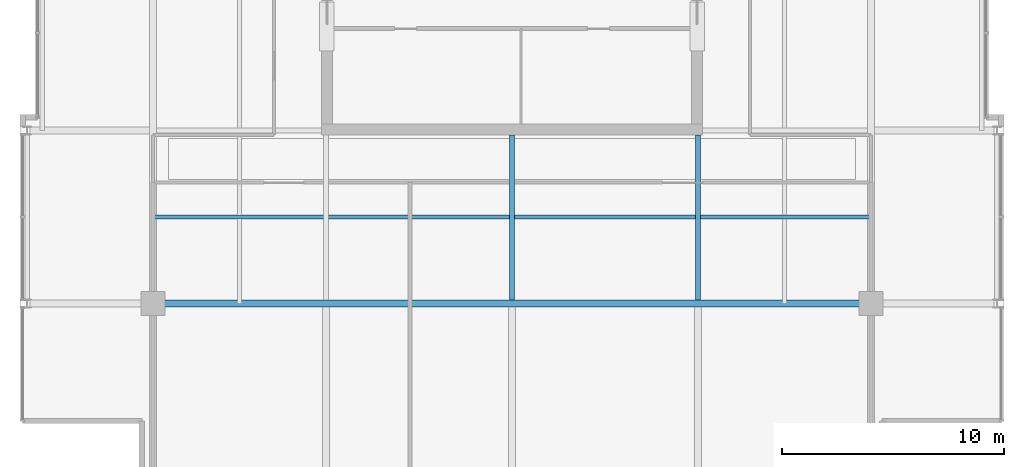
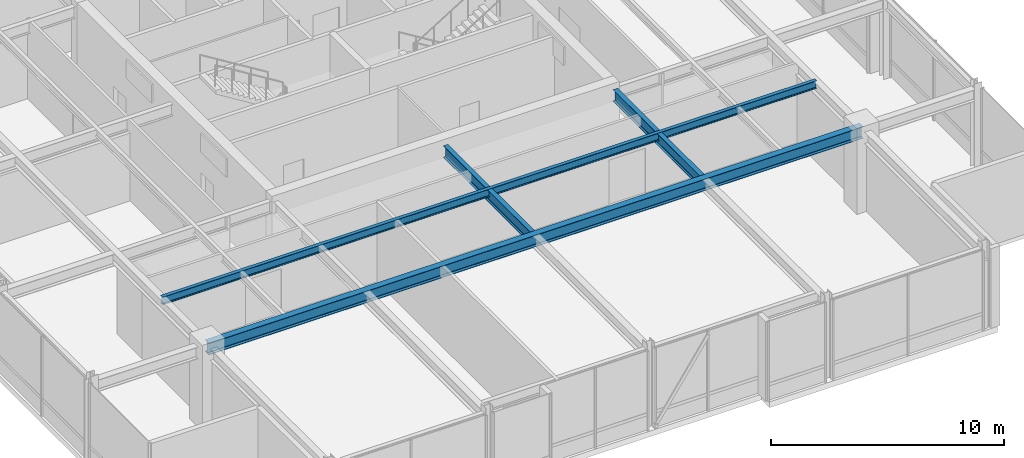
# One storey, part 8 of 32: 4 beams.
"""IFC4 building model written with IfcOpenShell, lengths in metres."""

from ifc_helpers import new_model, si_unit, direction, frame, origin, origin_2d, place, context, subcontext, project, spatial, i_section, extrude, material, material_profile, profile_set, type_object, element, save


model = new_model("IFC4")

# Units and contexts
model_context = context("Model", 3, precision=1e-05, world=origin(), true_north=direction((0.0, 1.0)))
body_context = subcontext(model_context, "Body", "Model", "MODEL_VIEW")
ifc_project = project(units=[si_unit("LENGTHUNIT", "METRE"), si_unit("AREAUNIT", "SQUARE_METRE"), si_unit("VOLUMEUNIT", "CUBIC_METRE"), si_unit("PLANEANGLEUNIT", "RADIAN"), si_unit("MASSUNIT", "GRAM", prefix="KILO")], contexts=[model_context])

# Site, building, storey
site_placement = place(None, origin())
site = spatial("IfcSite", under=ifc_project, at=site_placement, CompositionType="ELEMENT")
building_placement = place(site_placement, origin())
building = spatial("IfcBuilding", under=site, at=building_placement, Name="Drelvath Grand Hotel", CompositionType="ELEMENT")
storey_placement = place(building_placement, frame((0.0, 0.0, 255.5)))
storey = spatial("IfcBuildingStorey", under=building, at=storey_placement, Name="L67", CompositionType="ELEMENT", Elevation=255.5)

# Beams
ifc_material = material(Name="Steel ASTM A992 Gr 50", Category="steel")
ifc_material_profile_1 = material_profile(ifc_material, i_section(OverallWidth=0.177734375, OverallDepth=0.40673828125, WebThickness=0.0078125, FlangeThickness=0.0126953125, FilletRadius=0.014892578125, at=origin_2d()), Name="W16X40")
ifc_profile_set_1 = profile_set([ifc_material_profile_1], Name="Steel ASTM A992 Gr 50")
beam_type_1 = type_object("IfcBeamType", Name="Composite Floor Joist W16X40", PredefinedType="JOIST", material=ifc_profile_set_1)
beam_1_placement = place(storey_placement, frame((-16.199951171875, 14.699951171875, 3.976806640625), z_axis=(1.0, 0.0, 0.0), x_axis=(0.0, 1.0, 0.0)))
element("IfcBeam", 1, at=beam_1_placement, inside=storey, type_object=beam_type_1, Name="L67 Floor Joist J1", PredefinedType="JOIST", context=body_context, shape_type="SweptSolid", body=[
    extrude(i_section(OverallWidth=0.177734375, OverallDepth=0.40673828125, WebThickness=0.0078125, FlangeThickness=0.0126953125, FilletRadius=0.014892578125, at=origin_2d()), origin(), (0.0, 0.0, 1.0), 32.39990234375),
])
ifc_material_profile_2 = material_profile(ifc_material, i_section(OverallWidth=0.323974609375, OverallDepth=0.611083984375, WebThickness=0.0126953125, FlangeThickness=0.01904296875, FilletRadius=0.02197265625, at=origin_2d()), Name="W24X104")
ifc_profile_set_2 = profile_set([ifc_material_profile_2], Name="Steel ASTM A992 Gr 50")
beam_type_2 = type_object("IfcBeamType", Name="Primary Floor Girder W24X104", PredefinedType="BEAM", material=ifc_profile_set_2)
beam_2_placement = place(storey_placement, frame((-16.199951171875, 10.800048828125, 3.87451171875), z_axis=(1.0, 0.0, 0.0), x_axis=(0.0, 1.0, 0.0)))
element("IfcBeam", 2, at=beam_2_placement, inside=storey, type_object=beam_type_2, Name="L67 Mega Ring Girder South", PredefinedType="BEAM", context=body_context, shape_type="SweptSolid", body=[
    extrude(i_section(OverallWidth=0.323974609375, OverallDepth=0.611083984375, WebThickness=0.0126953125, FlangeThickness=0.01904296875, FilletRadius=0.02197265625, at=origin_2d()), origin(), (0.0, 0.0, 1.0), 32.39990234375),
])
ifc_material_profile_3 = material_profile(ifc_material, i_section(OverallWidth=0.228271484375, OverallDepth=0.607666015625, WebThickness=0.01123046875, FlangeThickness=0.017333984375, FilletRadius=0.02001953125, at=origin_2d()), Name="W24X76")
ifc_profile_set_3 = profile_set([ifc_material_profile_3], Name="Steel ASTM A992 Gr 50")
beam_type_3 = type_object("IfcBeamType", Name="Primary Floor Girder W24X76", PredefinedType="BEAM", material=ifc_profile_set_3)
for number, where, z_axis, x_axis, name in (
    (3, (0.0, 10.9619140625, 3.876220703125), (0.0, 1.0, 0.0), (-1.0, 0.0, 0.0), "L67 South Core Tie 5"),
    (4, (8.39990234375, 10.9619140625, 3.876220703125), (0.0, 1.0, 0.0), (-1.0, 0.0, 0.0), "L67 South Core Tie 6"),
):
    element("IfcBeam", number, at=place(storey_placement, frame(where, z_axis=z_axis, x_axis=x_axis)), inside=storey, type_object=beam_type_3, Name=name, PredefinedType="BEAM", context=body_context, shape_type="SweptSolid", body=[
        extrude(i_section(OverallWidth=0.228271484375, OverallDepth=0.607666015625, WebThickness=0.01123046875, FlangeThickness=0.017333984375, FilletRadius=0.02001953125, at=origin_2d()), origin(), (0.0, 0.0, 1.0), 7.43798828125),
    ])

save(model, "model.ifc")
